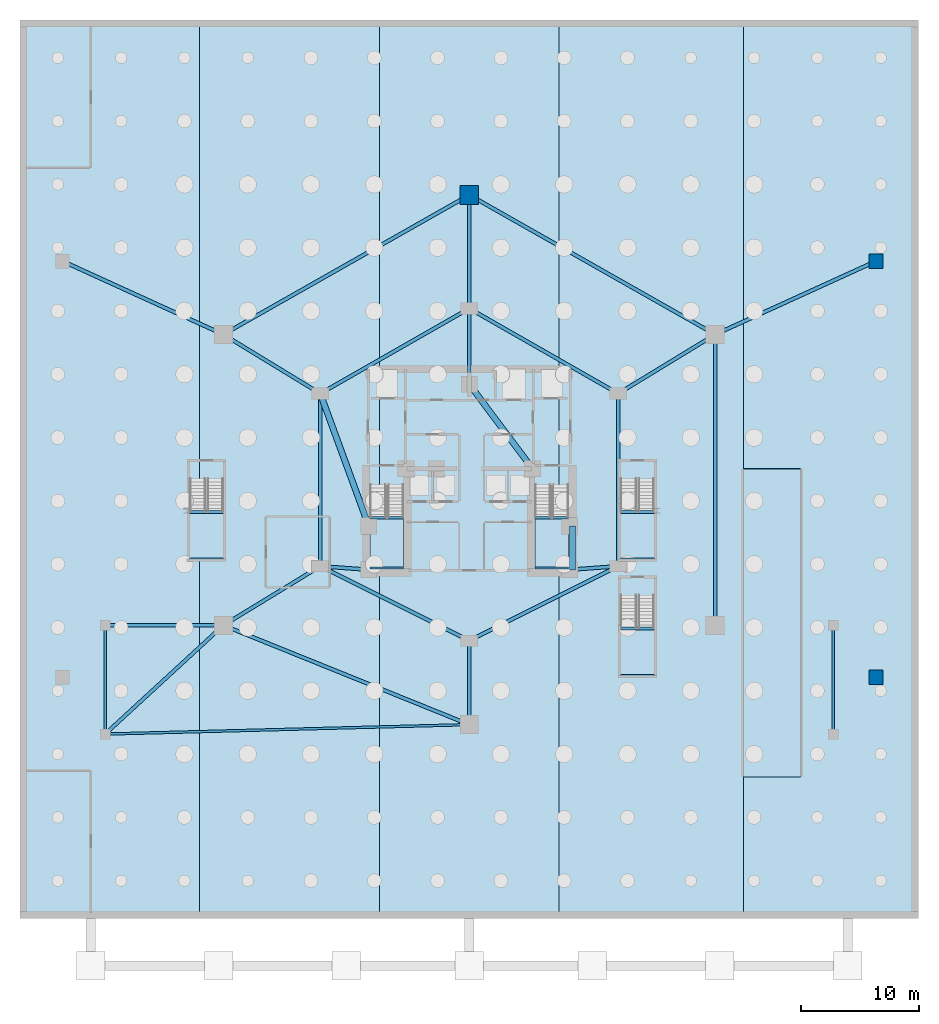
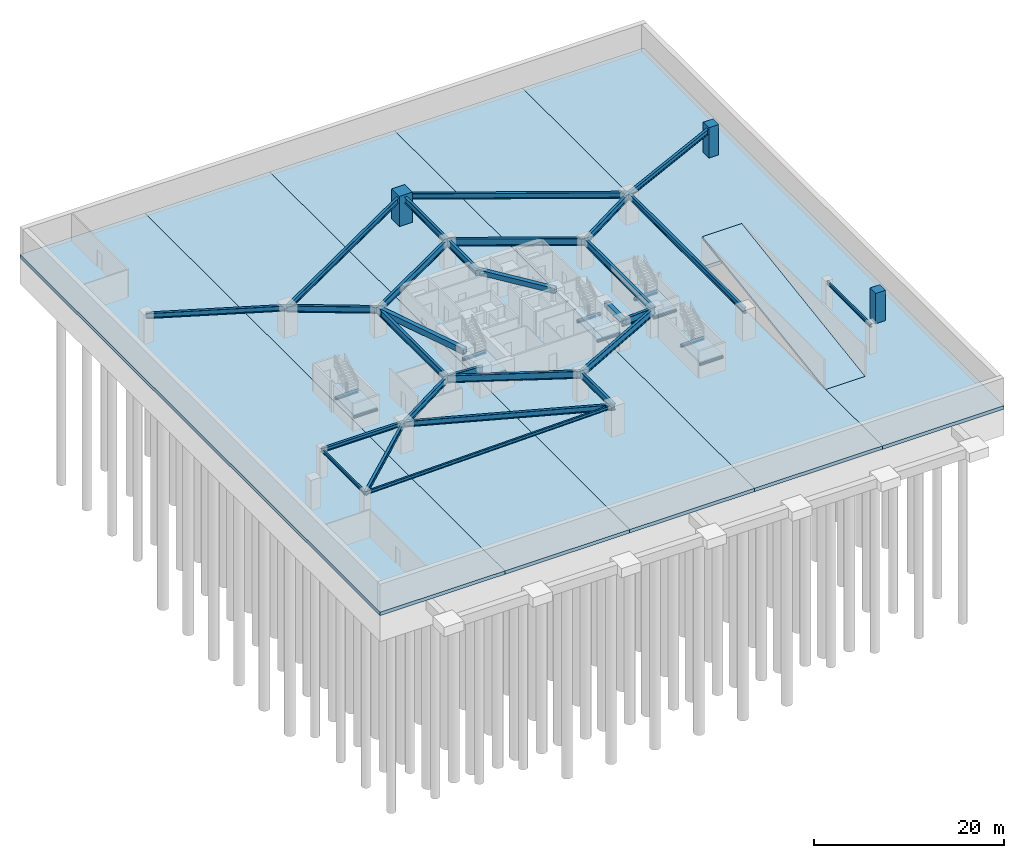
# One storey, part 5 of 14: 38 beams, 11 slabs, 3 columns, 5 elements without a shape of their own.
"""IFC4 building model written with IfcOpenShell, lengths in metres."""

from ifc_helpers import new_model, si_unit, direction, frame, origin, origin_2d, place, context, subcontext, project, spatial, polyline, rectangle, i_section, outline, extrude, material, layer, layer_set, material_profile, profile_set, type_object, element, aggregate, save


model = new_model("IFC4")

# Units and contexts
model_context = context("Model", 3, precision=1e-05, world=origin(), true_north=direction((0.0, 1.0)))
body_context = subcontext(model_context, "Body", "Model", "MODEL_VIEW")
ifc_project = project(units=[si_unit("LENGTHUNIT", "METRE"), si_unit("AREAUNIT", "SQUARE_METRE"), si_unit("VOLUMEUNIT", "CUBIC_METRE"), si_unit("PLANEANGLEUNIT", "RADIAN"), si_unit("MASSUNIT", "GRAM", prefix="KILO")], contexts=[model_context])

# Site, building, storey
site_placement = place(None, origin())
site = spatial("IfcSite", under=ifc_project, at=site_placement, CompositionType="ELEMENT")
building_placement = place(site_placement, origin())
building = spatial("IfcBuilding", under=site, at=building_placement, Name="Miruveldt Soraemaru", CompositionType="ELEMENT")
storey_placement = place(building_placement, frame((0.0, 0.0, -15.60009765625)))
storey = spatial("IfcBuildingStorey", under=building, at=storey_placement, Name="B4", CompositionType="ELEMENT", Elevation=-15.60009765625)

# Columns
ifc_material_1 = material(Name="Concrete C70/85 (70 MPa)", Category="concrete")
ifc_material_profile_1 = material_profile(ifc_material_1, rectangle(XDim=1.199951171875, YDim=1.199951171875, at=origin_2d()), Name="Concrete C70/85 (70 MPa)", Category="concrete")
ifc_profile_set_1 = profile_set([ifc_material_profile_1], Name="Concrete C70/85 (70 MPa)")
column_type_1 = type_object("IfcColumnType", Name="COL-CORE-1200", PredefinedType="COLUMN", material=ifc_profile_set_1)
for number, where, z_axis, x_axis, name in (
    (1, (78.39990234375, 26.39990234375, 0.0), (0.0, 0.0, 1.0), (1.0, 0.0, 0.0), "B4 Structural Column BC3"),
    (2, (78.39990234375, 61.60009765625, 0.0), (0.0, 0.0, 1.0), (1.0, 0.0, 0.0), "B4 Structural Column BC4"),
):
    element("IfcColumn", number, at=place(storey_placement, frame(where, z_axis=z_axis, x_axis=x_axis)), inside=storey, type_object=column_type_1, Name=name, PredefinedType="COLUMN", context=body_context, shape_type="SweptSolid", body=[
        extrude(rectangle(XDim=1.199951171875, YDim=1.199951171875, at=origin_2d()), origin(), (0.0, 0.0, 1.0), 3.900146484375),
    ])
ifc_material_2 = material(Name="Concrete C80/95 (80 MPa)", Category="concrete")
ifc_material_profile_2 = material_profile(ifc_material_2, rectangle(XDim=1.60009765625, YDim=1.60009765625, at=origin_2d()), Name="Concrete C80/95 (80 MPa)", Category="concrete")
ifc_profile_set_2 = profile_set([ifc_material_profile_2], Name="Concrete C80/95 (80 MPa)")
column_type_2 = type_object("IfcColumnType", Name="COL-MEGA-1600", PredefinedType="COLUMN", material=ifc_profile_set_2)
column_placement = place(storey_placement, frame((44.0, 67.199951171875, 0.0), z_axis=(0.0, 0.0, 1.0), x_axis=(1.0, 0.0, 0.0)))
element("IfcColumn", 3, at=column_placement, inside=storey, type_object=column_type_2, Name="B4 Structural Column PM01", PredefinedType="COLUMN", context=body_context, shape_type="SweptSolid", body=[
    extrude(rectangle(XDim=1.60009765625, YDim=1.60009765625, at=origin_2d()), origin(), (0.0, 0.0, 1.0), 3.900146484375),
])

# Beams
ifc_material_3 = material(Name="Concrete C50/60 (50 MPa)", Category="concrete")
ifc_material_profile_3 = material_profile(ifc_material_3, rectangle(XDim=0.5, YDim=0.64990234375, at=origin_2d()), Name="Concrete C50/60 (50 MPa)", Category="concrete")
ifc_profile_set_3 = profile_set([ifc_material_profile_3], Name="Concrete C50/60 (50 MPa)")
beam_type_1 = type_object("IfcBeamType", Name="BM-RC-500x650", PredefinedType="BEAM", material=ifc_profile_set_3)
beam_1_placement = place(storey_placement, frame((52.72998046875, 35.5, 3.255126953125), z_axis=(0.0, 1.0, 0.0), x_axis=(-1.0, 0.0, 0.0)))
element("IfcBeam", 4, at=beam_1_placement, inside=storey, type_object=beam_type_1, Name="B4 Core Tie Beam 3", PredefinedType="BEAM", context=body_context, shape_type="SweptSolid", body=[
    extrude(rectangle(XDim=0.5, YDim=0.64990234375, at=origin_2d()), origin(), (0.0, 0.0, 1.0), 3.699951171875),
])
beam_2_placement = place(storey_placement, frame((49.35009765625, 44.050048828125, 3.255126953125), z_axis=(-0.599116023999, 0.800662219533, 0.0), x_axis=(-0.800662219533, -0.599116023999, 0.0)))
element("IfcBeam", 5, at=beam_2_placement, inside=storey, type_object=beam_type_1, Name="B4 Core Tie Beam 5", PredefinedType="BEAM", context=body_context, shape_type="SweptSolid", body=[
    extrude(rectangle(XDim=0.5, YDim=0.64990234375, at=origin_2d()), origin(), (0.0, 0.0, 1.0), 8.929931640625),
])
ifc_material_4 = material(Name="Concrete C40/50 (40 MPa)", Category="concrete")
ifc_material_profile_4 = material_profile(ifc_material_4, rectangle(XDim=0.5, YDim=0.75, at=origin_2d()), Name="Concrete C40/50 (40 MPa)", Category="concrete")
ifc_profile_set_4 = profile_set([ifc_material_profile_4], Name="Concrete C40/50 (40 MPa)")
beam_type_2 = type_object("IfcBeamType", Name="BM-RC-500x750", PredefinedType="LINTEL", material=ifc_profile_set_4)
beam_3_placement = place(storey_placement, frame((31.39990234375, 50.39990234375, 3.205078125), z_axis=(0.343770424598, -0.939053723262, 0.0), x_axis=(0.939053723262, 0.343770424598, 0.0)))
element("IfcBeam", 6, at=beam_3_placement, inside=storey, type_object=beam_type_2, Name="B4 West Lobby Lintel", PredefinedType="LINTEL", context=body_context, shape_type="SweptSolid", body=[
    extrude(rectangle(XDim=0.5, YDim=0.75, at=origin_2d()), origin(), (0.0, 0.0, 1.0), 11.9267578125),
])
ifc_material_5 = material(Name="Steel SM355 (355 MPa)", Category="steel")
ifc_material_profile_5 = material_profile(ifc_material_5, i_section(OverallWidth=0.199951171875, OverallDepth=0.39990234375, WebThickness=0.008056640625, FlangeThickness=0.012939453125, FilletRadius=0.01611328125, at=origin_2d()), Name="Steel SM355 (355 MPa)", Category="steel")
ifc_profile_set_5 = profile_set([ifc_material_profile_5], Name="Steel SM355 (355 MPa)")
beam_type_3 = type_object("IfcBeamType", Name="BM-ST-H400", PredefinedType="JOIST", material=ifc_profile_set_5)
beam_4_placement = place(storey_placement, frame((13.199951171875, 30.800048828125, 3.380126953125), z_axis=(0.0, -1.0, 0.0), x_axis=(1.0, 0.0, 0.0)))
element("IfcBeam", 7, at=beam_4_placement, inside=storey, type_object=beam_type_3, Name="B4 Podium West Bay Edge Beam", PredefinedType="JOIST", context=body_context, shape_type="SweptSolid", body=[
    extrude(i_section(OverallWidth=0.199951171875, OverallDepth=0.39990234375, WebThickness=0.008056640625, FlangeThickness=0.012939453125, FilletRadius=0.01611328125, at=origin_2d()), origin(), (0.0, 0.0, 1.0), 9.199951171875),
])
beam_5_placement = place(storey_placement, frame((13.199951171875, 21.60009765625, 3.380126953125), z_axis=(0.999663011165, 0.025958892686, 0.0), x_axis=(-0.025958892686, 0.999663011165, 0.0)))
element("IfcBeam", 8, at=beam_5_placement, inside=storey, type_object=beam_type_3, Name="B4 Podium South-West Tie Beam", PredefinedType="JOIST", context=body_context, shape_type="SweptSolid", body=[
    extrude(i_section(OverallWidth=0.199951171875, OverallDepth=0.39990234375, WebThickness=0.008056640625, FlangeThickness=0.012939453125, FilletRadius=0.01611328125, at=origin_2d()), origin(), (0.0, 0.0, 1.0), 30.810546875),
])
beam_6_placement = place(storey_placement, frame((74.800048828125, 30.800048828125, 3.380126953125), z_axis=(0.0, -1.0, 0.0), x_axis=(1.0, 0.0, 0.0)))
element("IfcBeam", 9, at=beam_6_placement, inside=storey, type_object=beam_type_3, Name="B4 Podium East Bay Edge Beam", PredefinedType="JOIST", context=body_context, shape_type="SweptSolid", body=[
    extrude(i_section(OverallWidth=0.199951171875, OverallDepth=0.39990234375, WebThickness=0.008056640625, FlangeThickness=0.012939453125, FilletRadius=0.01611328125, at=origin_2d()), origin(), (0.0, 0.0, 1.0), 9.199951171875),
])
ifc_material_profile_6 = material_profile(ifc_material_5, i_section(OverallWidth=0.300048828125, OverallDepth=0.488037109375, WebThickness=0.010986328125, FlangeThickness=0.01806640625, FilletRadius=0.02587890625, at=origin_2d()), Name="Steel SM355 (355 MPa)", Category="steel")
ifc_profile_set_6 = profile_set([ifc_material_profile_6], Name="Steel SM355 (355 MPa)")
beam_type_4 = type_object("IfcBeamType", Name="BM-ST-H488", PredefinedType="BEAM", material=ifc_profile_set_6)
beam_7_placement = place(storey_placement, frame((23.199951171875, 30.800048828125, 3.336181640625), z_axis=(-1.0, 0.0, 0.0), x_axis=(0.0, -1.0, 0.0)))
element("IfcBeam", 10, at=beam_7_placement, inside=storey, type_object=beam_type_4, Name="B4 Podium West Bay Girder 1", PredefinedType="BEAM", context=body_context, shape_type="SweptSolid", body=[
    extrude(i_section(OverallWidth=0.300048828125, OverallDepth=0.488037109375, WebThickness=0.010986328125, FlangeThickness=0.01806640625, FilletRadius=0.02587890625, at=origin_2d()), origin(), (0.0, 0.0, 1.0), 10.0),
])
beam_8_placement = place(storey_placement, frame((13.199951171875, 21.60009765625, 3.336181640625), z_axis=(0.735932802242, 0.677054584641, 0.0), x_axis=(-0.677054584641, 0.735932802242, 0.0)))
element("IfcBeam", 11, at=beam_8_placement, inside=storey, type_object=beam_type_4, Name="B4 Podium West Bay Tie Girder", PredefinedType="BEAM", context=body_context, shape_type="SweptSolid", body=[
    extrude(i_section(OverallWidth=0.300048828125, OverallDepth=0.488037109375, WebThickness=0.010986328125, FlangeThickness=0.01806640625, FilletRadius=0.02587890625, at=origin_2d()), origin(), (0.0, 0.0, 1.0), 13.588134765625),
])
ifc_material_profile_7 = material_profile(ifc_material_5, i_section(OverallWidth=0.300048828125, OverallDepth=0.64990234375, WebThickness=0.012939453125, FlangeThickness=0.02197265625, FilletRadius=0.02587890625, at=origin_2d()), Name="Steel SM355 (355 MPa)", Category="steel")
ifc_profile_set_7 = profile_set([ifc_material_profile_7], Name="Steel SM355 (355 MPa)")
beam_type_5 = type_object("IfcBeamType", Name="BM-ST-H650", PredefinedType="BEAM", material=ifc_profile_set_7)
for number, where, z_axis, x_axis, name in (
    (12, (23.199951171875, 55.39990234375, 3.255126953125), (-0.909901047337, 0.414825365733, 0.0), (-0.414825365733, -0.909901047337, 0.0), "B4 Basement Outer Girder 2"),
    (13, (64.800048828125, 55.39990234375, 3.255126953125), (0.909901047337, 0.414825365733, 0.0), (-0.414825365733, 0.909901047337, 0.0), "B4 Basement Outer Girder 4"),
):
    element("IfcBeam", number, at=place(storey_placement, frame(where, z_axis=z_axis, x_axis=x_axis)), inside=storey, type_object=beam_type_5, Name=name, PredefinedType="BEAM", context=body_context, shape_type="SweptSolid", body=[
        extrude(i_section(OverallWidth=0.300048828125, OverallDepth=0.64990234375, WebThickness=0.012939453125, FlangeThickness=0.02197265625, FilletRadius=0.02587890625, at=origin_2d()), origin(), (0.0, 0.0, 1.0), 14.946533203125),
    ])
ifc_material_profile_8 = material_profile(ifc_material_5, i_section(OverallWidth=0.300048828125, OverallDepth=0.699951171875, WebThickness=0.012939453125, FlangeThickness=0.02392578125, FilletRadius=0.028076171875, at=origin_2d()), Name="Steel SM355 (355 MPa)", Category="steel")
ifc_profile_set_8 = profile_set([ifc_material_profile_8], Name="Steel SM355 (355 MPa)")
beam_type_6 = type_object("IfcBeamType", Name="BM-ST-H700", PredefinedType="BEAM", material=ifc_profile_set_8)
beam_9_placement = place(storey_placement, frame((44.0, 67.199951171875, 3.22998046875), z_axis=(0.869782551993, -0.493435215858, 0.0), x_axis=(0.493435215858, 0.869782551993, 0.0)))
element("IfcBeam", 14, at=beam_9_placement, inside=storey, type_object=beam_type_6, Name="B4 Podium Ring Girder 1", PredefinedType="BEAM", context=body_context, shape_type="SweptSolid", body=[
    extrude(i_section(OverallWidth=0.300048828125, OverallDepth=0.699951171875, WebThickness=0.012939453125, FlangeThickness=0.02392578125, FilletRadius=0.028076171875, at=origin_2d()), origin(), (0.0, 0.0, 1.0), 23.9140625),
])
beam_10_placement = place(storey_placement, frame((64.800048828125, 55.39990234375, 3.22998046875), z_axis=(0.0, -1.0, 0.0), x_axis=(1.0, 0.0, 0.0)))
element("IfcBeam", 15, at=beam_10_placement, inside=storey, type_object=beam_type_6, Name="B4 Podium Ring Girder 2", PredefinedType="BEAM", context=body_context, shape_type="SweptSolid", body=[
    extrude(i_section(OverallWidth=0.300048828125, OverallDepth=0.699951171875, WebThickness=0.012939453125, FlangeThickness=0.02392578125, FilletRadius=0.028076171875, at=origin_2d()), origin(), (0.0, 0.0, 1.0), 24.599853515625),
])
beam_11_placement = place(storey_placement, frame((44.0, 22.39990234375, 3.22998046875), z_axis=(-0.927239874954, 0.374467908231, 0.0), x_axis=(-0.374467908231, -0.927239874954, 0.0)))
element("IfcBeam", 16, at=beam_11_placement, inside=storey, type_object=beam_type_6, Name="B4 Podium Ring Girder 4", PredefinedType="BEAM", context=body_context, shape_type="SweptSolid", body=[
    extrude(i_section(OverallWidth=0.300048828125, OverallDepth=0.699951171875, WebThickness=0.012939453125, FlangeThickness=0.02392578125, FilletRadius=0.028076171875, at=origin_2d()), origin(), (0.0, 0.0, 1.0), 22.43212890625),
])
beam_12_placement = place(storey_placement, frame((23.199951171875, 55.39990234375, 3.22998046875), z_axis=(0.869782551993, 0.493435215858, 0.0), x_axis=(-0.493435215858, 0.869782551993, 0.0)))
element("IfcBeam", 17, at=beam_12_placement, inside=storey, type_object=beam_type_6, Name="B4 Podium Ring Girder 6", PredefinedType="BEAM", context=body_context, shape_type="SweptSolid", body=[
    extrude(i_section(OverallWidth=0.300048828125, OverallDepth=0.699951171875, WebThickness=0.012939453125, FlangeThickness=0.02392578125, FilletRadius=0.028076171875, at=origin_2d()), origin(), (0.0, 0.0, 1.0), 23.9140625),
])
ifc_material_6 = material(Name="Steel S460 (460 MPa)", Category="steel")
ifc_material_profile_9 = material_profile(ifc_material_6, i_section(OverallWidth=0.300048828125, OverallDepth=0.800048828125, WebThickness=0.013916015625, FlangeThickness=0.02587890625, FilletRadius=0.028076171875, at=origin_2d()), Name="Steel S460 (460 MPa)", Category="steel")
ifc_profile_set_9 = profile_set([ifc_material_profile_9], Name="Steel S460 (460 MPa)")
beam_type_7 = type_object("IfcBeamType", Name="BM-ST-H800", PredefinedType="BEAM", material=ifc_profile_set_9)
beam_13_placement = place(storey_placement, frame((44.0, 57.60009765625, 3.18017578125), z_axis=(0.0, 1.0, 0.0), x_axis=(-1.0, 0.0, 0.0)))
element("IfcBeam", 18, at=beam_13_placement, inside=storey, type_object=beam_type_7, Name="B4 Podium Radial Girder 1", PredefinedType="BEAM", context=body_context, shape_type="SweptSolid", body=[
    extrude(i_section(OverallWidth=0.300048828125, OverallDepth=0.800048828125, WebThickness=0.013916015625, FlangeThickness=0.02587890625, FilletRadius=0.028076171875, at=origin_2d()), origin(), (0.0, 0.0, 1.0), 9.599853515625),
])
beam_14_placement = place(storey_placement, frame((56.60009765625, 50.39990234375, 3.18017578125), z_axis=(0.853794797843, 0.520609684098, 0.0), x_axis=(-0.520609684098, 0.853794797843, 0.0)))
element("IfcBeam", 19, at=beam_14_placement, inside=storey, type_object=beam_type_7, Name="B4 Podium Radial Girder 2", PredefinedType="BEAM", context=body_context, shape_type="SweptSolid", body=[
    extrude(i_section(OverallWidth=0.300048828125, OverallDepth=0.800048828125, WebThickness=0.013916015625, FlangeThickness=0.02587890625, FilletRadius=0.028076171875, at=origin_2d()), origin(), (0.0, 0.0, 1.0), 9.60400390625),
])
beam_15_placement = place(storey_placement, frame((44.0, 29.5, 3.18017578125), z_axis=(0.0, -1.0, 0.0), x_axis=(1.0, 0.0, 0.0)))
element("IfcBeam", 20, at=beam_15_placement, inside=storey, type_object=beam_type_7, Name="B4 Podium Radial Girder 4", PredefinedType="BEAM", context=body_context, shape_type="SweptSolid", body=[
    extrude(i_section(OverallWidth=0.300048828125, OverallDepth=0.800048828125, WebThickness=0.013916015625, FlangeThickness=0.02587890625, FilletRadius=0.028076171875, at=origin_2d()), origin(), (0.0, 0.0, 1.0), 7.10009765625),
])
for number, where, z_axis, x_axis, name in (
    (21, (31.39990234375, 35.800048828125, 3.18017578125), (-0.853794797843, -0.520609684098, 0.0), (0.520609684098, -0.853794797843, 0.0), "B4 Podium Radial Girder 5"),
    (22, (31.39990234375, 50.39990234375, 3.18017578125), (-0.853794797843, 0.520609684098, 0.0), (-0.520609684098, -0.853794797843, 0.0), "B4 Podium Radial Girder 6"),
):
    element("IfcBeam", number, at=place(storey_placement, frame(where, z_axis=z_axis, x_axis=x_axis)), inside=storey, type_object=beam_type_7, Name=name, PredefinedType="BEAM", context=body_context, shape_type="SweptSolid", body=[
        extrude(i_section(OverallWidth=0.300048828125, OverallDepth=0.800048828125, WebThickness=0.013916015625, FlangeThickness=0.02587890625, FilletRadius=0.028076171875, at=origin_2d()), origin(), (0.0, 0.0, 1.0), 9.60400390625),
    ])
ifc_material_profile_10 = material_profile(ifc_material_6, i_section(OverallWidth=0.300048828125, OverallDepth=0.89990234375, WebThickness=0.01611328125, FlangeThickness=0.028076171875, FilletRadius=0.028076171875, at=origin_2d()), Name="Steel S460 (460 MPa)", Category="steel")
ifc_profile_set_10 = profile_set([ifc_material_profile_10], Name="Steel S460 (460 MPa)")
beam_type_8 = type_object("IfcBeamType", Name="BM-ST-H900", PredefinedType="BEAM", material=ifc_profile_set_10)
beam_16_placement = place(storey_placement, frame((44.0, 57.60009765625, 3.130126953125), z_axis=(0.868239001029, -0.496146185203, 0.0), x_axis=(0.496146185203, 0.868239001029, 0.0)))
element("IfcBeam", 23, at=beam_16_placement, inside=storey, type_object=beam_type_8, Name="B4 Inner Ring Girder 1", PredefinedType="BEAM", context=body_context, shape_type="SweptSolid", body=[
    extrude(i_section(OverallWidth=0.300048828125, OverallDepth=0.89990234375, WebThickness=0.01611328125, FlangeThickness=0.028076171875, FilletRadius=0.028076171875, at=origin_2d()), origin(), (0.0, 0.0, 1.0), 14.51220703125),
])
beam_17_placement = place(storey_placement, frame((44.0, 51.199951171875, 3.130126953125), z_axis=(0.0, 1.0, 0.0), x_axis=(-1.0, 0.0, 0.0)))
element("IfcBeam", 24, at=beam_17_placement, inside=storey, type_object=beam_type_8, Name="B4 Core-to-Inner Radial Girder 1", PredefinedType="BEAM", context=body_context, shape_type="SweptSolid", body=[
    extrude(i_section(OverallWidth=0.300048828125, OverallDepth=0.89990234375, WebThickness=0.01611328125, FlangeThickness=0.028076171875, FilletRadius=0.028076171875, at=origin_2d()), origin(), (0.0, 0.0, 1.0), 6.400146484375),
])
beam_18_placement = place(storey_placement, frame((56.60009765625, 50.39990234375, 3.130126953125), z_axis=(0.0, -1.0, 0.0), x_axis=(1.0, 0.0, 0.0)))
element("IfcBeam", 25, at=beam_18_placement, inside=storey, type_object=beam_type_8, Name="B4 Inner Ring Girder 2", PredefinedType="BEAM", context=body_context, shape_type="SweptSolid", body=[
    extrude(i_section(OverallWidth=0.300048828125, OverallDepth=0.89990234375, WebThickness=0.01611328125, FlangeThickness=0.028076171875, FilletRadius=0.028076171875, at=origin_2d()), origin(), (0.0, 0.0, 1.0), 14.599853515625),
])
beam_19_placement = place(storey_placement, frame((56.60009765625, 35.800048828125, 3.130126953125), z_axis=(-0.894427191, -0.4472135955, 0.0), x_axis=(0.4472135955, -0.894427191, 0.0)))
element("IfcBeam", 26, at=beam_19_placement, inside=storey, type_object=beam_type_8, Name="B4 Inner Ring Girder 3", PredefinedType="BEAM", context=body_context, shape_type="SweptSolid", body=[
    extrude(i_section(OverallWidth=0.300048828125, OverallDepth=0.89990234375, WebThickness=0.01611328125, FlangeThickness=0.028076171875, FilletRadius=0.028076171875, at=origin_2d()), origin(), (0.0, 0.0, 1.0), 14.08740234375),
])
beam_20_placement = place(storey_placement, frame((52.5, 35.5, 3.130126953125), z_axis=(0.997332985605, 0.072985723431, 0.0), x_axis=(-0.072985723431, 0.997332985605, 0.0)))
element("IfcBeam", 27, at=beam_20_placement, inside=storey, type_object=beam_type_8, Name="B4 Core-to-Inner Radial Girder 3", PredefinedType="BEAM", context=body_context, shape_type="SweptSolid", body=[
    extrude(i_section(OverallWidth=0.300048828125, OverallDepth=0.89990234375, WebThickness=0.01611328125, FlangeThickness=0.028076171875, FilletRadius=0.028076171875, at=origin_2d()), origin(), (0.0, 0.0, 1.0), 4.111083984375),
])
beam_21_placement = place(storey_placement, frame((44.0, 29.5, 3.130126953125), z_axis=(-0.894427191, 0.4472135955, 0.0), x_axis=(-0.4472135955, -0.894427191, 0.0)))
element("IfcBeam", 28, at=beam_21_placement, inside=storey, type_object=beam_type_8, Name="B4 Inner Ring Girder 4", PredefinedType="BEAM", context=body_context, shape_type="SweptSolid", body=[
    extrude(i_section(OverallWidth=0.300048828125, OverallDepth=0.89990234375, WebThickness=0.01611328125, FlangeThickness=0.028076171875, FilletRadius=0.028076171875, at=origin_2d()), origin(), (0.0, 0.0, 1.0), 14.08740234375),
])
beam_22_placement = place(storey_placement, frame((31.39990234375, 35.800048828125, 3.130126953125), z_axis=(0.0, 1.0, 0.0), x_axis=(-1.0, 0.0, 0.0)))
element("IfcBeam", 29, at=beam_22_placement, inside=storey, type_object=beam_type_8, Name="B4 Inner Ring Girder 5", PredefinedType="BEAM", context=body_context, shape_type="SweptSolid", body=[
    extrude(i_section(OverallWidth=0.300048828125, OverallDepth=0.89990234375, WebThickness=0.01611328125, FlangeThickness=0.028076171875, FilletRadius=0.028076171875, at=origin_2d()), origin(), (0.0, 0.0, 1.0), 14.599853515625),
])
beam_23_placement = place(storey_placement, frame((35.5, 35.5, 3.130126953125), z_axis=(-0.997332985605, 0.072985723431, 0.0), x_axis=(-0.072985723431, -0.997332985605, 0.0)))
element("IfcBeam", 30, at=beam_23_placement, inside=storey, type_object=beam_type_8, Name="B4 Core-to-Inner Radial Girder 5", PredefinedType="BEAM", context=body_context, shape_type="SweptSolid", body=[
    extrude(i_section(OverallWidth=0.300048828125, OverallDepth=0.89990234375, WebThickness=0.01611328125, FlangeThickness=0.028076171875, FilletRadius=0.028076171875, at=origin_2d()), origin(), (0.0, 0.0, 1.0), 4.111083984375),
])
beam_24_placement = place(storey_placement, frame((31.39990234375, 50.39990234375, 3.130126953125), z_axis=(0.868239001029, 0.496146185203, 0.0), x_axis=(-0.496146185203, 0.868239001029, 0.0)))
element("IfcBeam", 31, at=beam_24_placement, inside=storey, type_object=beam_type_8, Name="B4 Inner Ring Girder 6", PredefinedType="BEAM", context=body_context, shape_type="SweptSolid", body=[
    extrude(i_section(OverallWidth=0.300048828125, OverallDepth=0.89990234375, WebThickness=0.01611328125, FlangeThickness=0.028076171875, FilletRadius=0.028076171875, at=origin_2d()), origin(), (0.0, 0.0, 1.0), 14.51220703125),
])
ifc_material_profile_11 = material_profile(ifc_material_5, i_section(OverallWidth=0.199951171875, OverallDepth=0.199951171875, WebThickness=0.008056640625, FlangeThickness=0.011962890625, FilletRadius=0.012939453125, at=origin_2d()), Name="Steel SM355 (355 MPa)", Category="steel")
ifc_profile_set_11 = profile_set([ifc_material_profile_11], Name="Steel SM355 (355 MPa)")
beam_type_9 = type_object("IfcBeamType", Name="BM-ST-LND200", PredefinedType="BEAM", material=ifc_profile_set_11)
for number, where, z_axis, x_axis, name in (
    (32, (35.60009765625, 35.64990234375, 1.650146484375), (1.0, 0.0, 0.0), (0.0, 1.0, 0.0), "B4 ST1 Landing End Beam 1B"),
    (33, (49.550048828125, 35.64990234375, 1.650146484375), (1.0, 0.0, 0.0), (0.0, 1.0, 0.0), "B4 ST2 Landing End Beam 1B"),
    (34, (20.35009765625, 36.39990234375, 1.650146484375), (1.0, 0.0, 0.0), (0.0, 1.0, 0.0), "B4 ST3 Landing End Beam 1B"),
    (35, (56.800048828125, 36.39990234375, 1.650146484375), (1.0, 0.0, 0.0), (0.0, 1.0, 0.0), "B4 ST4 Landing End Beam 1B"),
    (36, (56.800048828125, 26.550048828125, 1.650146484375), (1.0, 0.0, 0.0), (0.0, 1.0, 0.0), "B4 ST5 Landing End Beam 1B"),
):
    element("IfcBeam", number, at=place(storey_placement, frame(where, z_axis=z_axis, x_axis=x_axis)), inside=storey, type_object=beam_type_9, Name=name, PredefinedType="BEAM", context=body_context, shape_type="SweptSolid", body=[
        extrude(i_section(OverallWidth=0.199951171875, OverallDepth=0.199951171875, WebThickness=0.008056640625, FlangeThickness=0.011962890625, FilletRadius=0.012939453125, at=origin_2d()), origin(), (0.0, 0.0, 1.0), 2.849853515625),
    ])
ifc_material_profile_12 = material_profile(ifc_material_5, i_section(OverallWidth=0.25, OverallDepth=0.25, WebThickness=0.009033203125, FlangeThickness=0.013916015625, FilletRadius=0.01611328125, at=origin_2d()), Name="Steel SM355 (355 MPa)", Category="steel")
ifc_profile_set_12 = profile_set([ifc_material_profile_12], Name="Steel SM355 (355 MPa)")
beam_type_10 = type_object("IfcBeamType", Name="BM-ST-LND250", PredefinedType="BEAM", material=ifc_profile_set_12)
for number, where, z_axis, x_axis, name in (
    (37, (35.60009765625, 39.89990234375, 1.625), (1.0, 0.0, 0.0), (0.0, 1.0, 0.0), "B4 ST1 Landing Support Beam 1A"),
    (38, (49.550048828125, 39.89990234375, 1.625), (1.0, 0.0, 0.0), (0.0, 1.0, 0.0), "B4 ST2 Landing Support Beam 1A"),
    (39, (20.35009765625, 40.39990234375, 1.625), (1.0, 0.0, 0.0), (0.0, 1.0, 0.0), "B4 ST3 Landing Support Beam 1A"),
    (40, (56.800048828125, 40.39990234375, 1.625), (1.0, 0.0, 0.0), (0.0, 1.0, 0.0), "B4 ST4 Landing Support Beam 1A"),
    (41, (56.800048828125, 30.550048828125, 1.625), (1.0, 0.0, 0.0), (0.0, 1.0, 0.0), "B4 ST5 Landing Support Beam 1A"),
):
    element("IfcBeam", number, at=place(storey_placement, frame(where, z_axis=z_axis, x_axis=x_axis)), inside=storey, type_object=beam_type_10, Name=name, PredefinedType="BEAM", context=body_context, shape_type="SweptSolid", body=[
        extrude(i_section(OverallWidth=0.25, OverallDepth=0.25, WebThickness=0.009033203125, FlangeThickness=0.013916015625, FilletRadius=0.01611328125, at=origin_2d()), origin(), (0.0, 0.0, 1.0), 2.849853515625),
    ])

# Slabs
ifc_layer_1 = layer(ifc_material_3, 0.449951171875, Name="Concrete C50/60 (50 MPa)", Category="concrete")
ifc_layer_set_1 = layer_set([ifc_layer_1], Name="Concrete C50/60 (50 MPa)")
slab_type_1 = type_object("IfcSlabType", Name="SLAB-BASE-450", PredefinedType="BASESLAB", material=ifc_layer_set_1)
slab_1_placement = place(storey_placement, frame((0.0, 0.0, -0.449951171875)))
element("IfcSlab", 42, at=slab_1_placement, inside=storey, type_object=slab_type_1, Name="B4 Structural Base Slab Bay 1", PredefinedType="BASESLAB", context=body_context, shape_type="SweptSolid", body=[
    extrude(outline(polyline([(6.0, 6.0), (21.199951171875, 6.0), (21.199951171875, 82.0), (6.0, 82.0), (6.0, 6.0)])), origin(), (0.0, 0.0, 1.0), 0.449951171875),
])
slab_2_placement = place(storey_placement, frame((0.0, 0.0, -0.449951171875)))
element("IfcSlab", 43, at=slab_2_placement, inside=storey, type_object=slab_type_1, Name="B4 Structural Base Slab Bay 2", PredefinedType="BASESLAB", context=body_context, shape_type="SweptSolid", body=[
    extrude(outline(polyline([(21.199951171875, 6.0), (36.39990234375, 6.0), (36.39990234375, 82.0), (21.199951171875, 82.0), (21.199951171875, 6.0)])), origin(), (0.0, 0.0, 1.0), 0.449951171875),
])
slab_3_placement = place(storey_placement, frame((0.0, 0.0, -0.449951171875)))
element("IfcSlab", 44, at=slab_3_placement, inside=storey, type_object=slab_type_1, Name="B4 Structural Base Slab Bay 3", PredefinedType="BASESLAB", context=body_context, shape_type="SweptSolid", body=[
    extrude(outline(polyline([(36.39990234375, 6.0), (51.60009765625, 6.0), (51.60009765625, 82.0), (36.39990234375, 82.0), (36.39990234375, 6.0)])), origin(), (0.0, 0.0, 1.0), 0.449951171875),
])
slab_4_placement = place(storey_placement, frame((0.0, 0.0, -0.449951171875)))
element("IfcSlab", 45, at=slab_4_placement, inside=storey, type_object=slab_type_1, Name="B4 Structural Base Slab Bay 4", PredefinedType="BASESLAB", context=body_context, shape_type="SweptSolid", body=[
    extrude(outline(polyline([(51.60009765625, 6.0), (67.199951171875, 6.0), (67.199951171875, 82.0), (51.60009765625, 82.0), (51.60009765625, 6.0)])), origin(), (0.0, 0.0, 1.0), 0.449951171875),
])
slab_5_placement = place(storey_placement, frame((0.0, 0.0, -0.449951171875)))
element("IfcSlab", 46, at=slab_5_placement, inside=storey, type_object=slab_type_1, Name="B4 Structural Base Slab Bay 5", PredefinedType="BASESLAB", context=body_context, shape_type="SweptSolid", body=[
    extrude(outline(polyline([(67.199951171875, 6.0), (82.0, 6.0), (82.0, 82.0), (67.199951171875, 82.0), (67.199951171875, 44.02001953125), (72.0, 44.02001953125), (72.0, 18.0), (67.199951171875, 18.0), (67.199951171875, 6.0)])), origin(), (0.0, 0.0, 1.0), 0.449951171875),
])

# Stair, slab
stair_type_1 = type_object("IfcStairType", Name="STAIR-DL-390", PredefinedType="HALF_TURN_STAIR", material=ifc_material_4)
stair_1_placement = place(storey_placement, origin())
stair_1 = element("IfcStair", 47, at=stair_1_placement, inside=storey, type_object=stair_type_1, Name="B4 Protected Exit Stair ST-1", PredefinedType="HALF_TURN_STAIR")
ifc_layer_2 = layer(ifc_material_4, 0.199951171875, Name="Concrete C40/50 (40 MPa)", Category="concrete")
ifc_layer_set_2 = layer_set([ifc_layer_2], Name="Concrete C40/50 (40 MPa)")
slab_type_2 = type_object("IfcSlabType", Name="SLAB-LAND-200", PredefinedType="LANDING", material=ifc_layer_set_2)
slab_6_placement = place(storey_placement, frame((0.0, 0.0, 1.75)))
slab_6 = element("IfcSlab", 48, at=slab_6_placement, type_object=slab_type_2, Name="ST-1 landing 1", PredefinedType="LANDING", context=body_context, shape_type="SweptSolid", body=[
    extrude(outline(polyline([(35.60009765625, 39.91796875), (35.60009765625, 35.64990234375), (38.449951171875, 35.64990234375), (38.449951171875, 39.91796875), (35.60009765625, 39.91796875)])), origin(), (0.0, 0.0, 1.0), 0.2001953125),
])
aggregate(stair_1, [slab_6])

stair_2_placement = place(storey_placement, origin())
stair_2 = element("IfcStair", 49, at=stair_2_placement, inside=storey, type_object=stair_type_1, Name="B4 Protected Exit Stair ST-2", PredefinedType="HALF_TURN_STAIR")
slab_7_placement = place(storey_placement, frame((0.0, 0.0, 1.75)))
slab_7 = element("IfcSlab", 50, at=slab_7_placement, type_object=slab_type_2, Name="ST-2 landing 1", PredefinedType="LANDING", context=body_context, shape_type="SweptSolid", body=[
    extrude(outline(polyline([(49.550048828125, 39.91796875), (49.550048828125, 35.64990234375), (52.39990234375, 35.64990234375), (52.39990234375, 39.91796875), (49.550048828125, 39.91796875)])), origin(), (0.0, 0.0, 1.0), 0.2001953125),
])
aggregate(stair_2, [slab_7])

stair_3_placement = place(storey_placement, origin())
stair_3 = element("IfcStair", 51, at=stair_3_placement, inside=storey, type_object=stair_type_1, Name="B4 Podium Protected Exit Stair ST-3", PredefinedType="HALF_TURN_STAIR")
slab_8_placement = place(storey_placement, frame((0.0, 0.0, 1.75)))
slab_8 = element("IfcSlab", 52, at=slab_8_placement, type_object=slab_type_2, Name="ST-3 landing 1", PredefinedType="LANDING", context=body_context, shape_type="SweptSolid", body=[
    extrude(outline(polyline([(20.35009765625, 40.41796875), (20.35009765625, 36.39990234375), (23.199951171875, 36.39990234375), (23.199951171875, 40.41796875), (20.35009765625, 40.41796875)])), origin(), (0.0, 0.0, 1.0), 0.2001953125),
])
aggregate(stair_3, [slab_8])

ifc_material_7 = material(Name="Steel S355 (355 MPa)", Category="steel")
stair_type_2 = type_object("IfcStairType", Name="STAIR-FEAT-STR", PredefinedType="TWO_STRAIGHT_RUN_STAIR", material=ifc_material_7)
stair_4_placement = place(storey_placement, origin())
stair_4 = element("IfcStair", 53, at=stair_4_placement, inside=storey, type_object=stair_type_2, Name="B4 Podium Garden Feature Stair ST-4", PredefinedType="TWO_STRAIGHT_RUN_STAIR")
slab_9_placement = place(storey_placement, frame((0.0, 0.0, 1.75)))
slab_9 = element("IfcSlab", 54, at=slab_9_placement, type_object=slab_type_2, Name="ST-4 landing 1", PredefinedType="LANDING", context=body_context, shape_type="SweptSolid", body=[
    extrude(outline(polyline([(56.800048828125, 40.41796875), (56.800048828125, 36.39990234375), (59.64990234375, 36.39990234375), (59.64990234375, 40.41796875), (56.800048828125, 40.41796875)])), origin(), (0.0, 0.0, 1.0), 0.2001953125),
])
aggregate(stair_4, [slab_9])

stair_5_placement = place(storey_placement, origin())
stair_5 = element("IfcStair", 55, at=stair_5_placement, inside=storey, type_object=stair_type_2, Name="B4 Basement Service Dogleg Stair ST-5", PredefinedType="TWO_STRAIGHT_RUN_STAIR")
slab_10_placement = place(storey_placement, frame((0.0, 0.0, 1.75)))
slab_10 = element("IfcSlab", 56, at=slab_10_placement, type_object=slab_type_2, Name="ST-5 landing 1", PredefinedType="LANDING", context=body_context, shape_type="SweptSolid", body=[
    extrude(outline(polyline([(56.800048828125, 30.568115234375), (56.800048828125, 26.550048828125), (59.64990234375, 26.550048828125), (59.64990234375, 30.568115234375), (56.800048828125, 30.568115234375)])), origin(), (0.0, 0.0, 1.0), 0.2001953125),
])
aggregate(stair_5, [slab_10])

# Slab
ifc_layer_3 = layer(ifc_material_4, 0.260009765625, Name="Concrete C40/50 (40 MPa)", Category="concrete")
ifc_layer_set_3 = layer_set([ifc_layer_3], Name="Concrete C40/50 (40 MPa)")
slab_type_3 = type_object("IfcSlabType", Name="SLAB-RMP-260", PredefinedType="USERDEFINED", material=ifc_layer_set_3)
slab_11_placement = place(storey_placement, frame((67.199951171875, 17.97998046875, 0.0), z_axis=(0.0, -0.148122814201, 0.988968974191), x_axis=(1.0, 0.0, 0.0)))
element("IfcSlab", 57, at=slab_11_placement, inside=storey, type_object=slab_type_3, Name="Car Park Vehicle Ramp Structural Slab B4 to B3", ObjectType="VEHICULAR RAMP", PredefinedType="USERDEFINED", context=body_context, shape_type="SweptSolid", body=[
    extrude(outline(polyline([(0.0, 0.0), (4.800048828125, 0.0), (4.800048828125, 26.33056640625), (0.0, 26.33056640625), (0.0, 0.0)])), origin(), (0.0, 0.0, -1.0), 0.260009765625),
])

save(model, "model.ifc")
